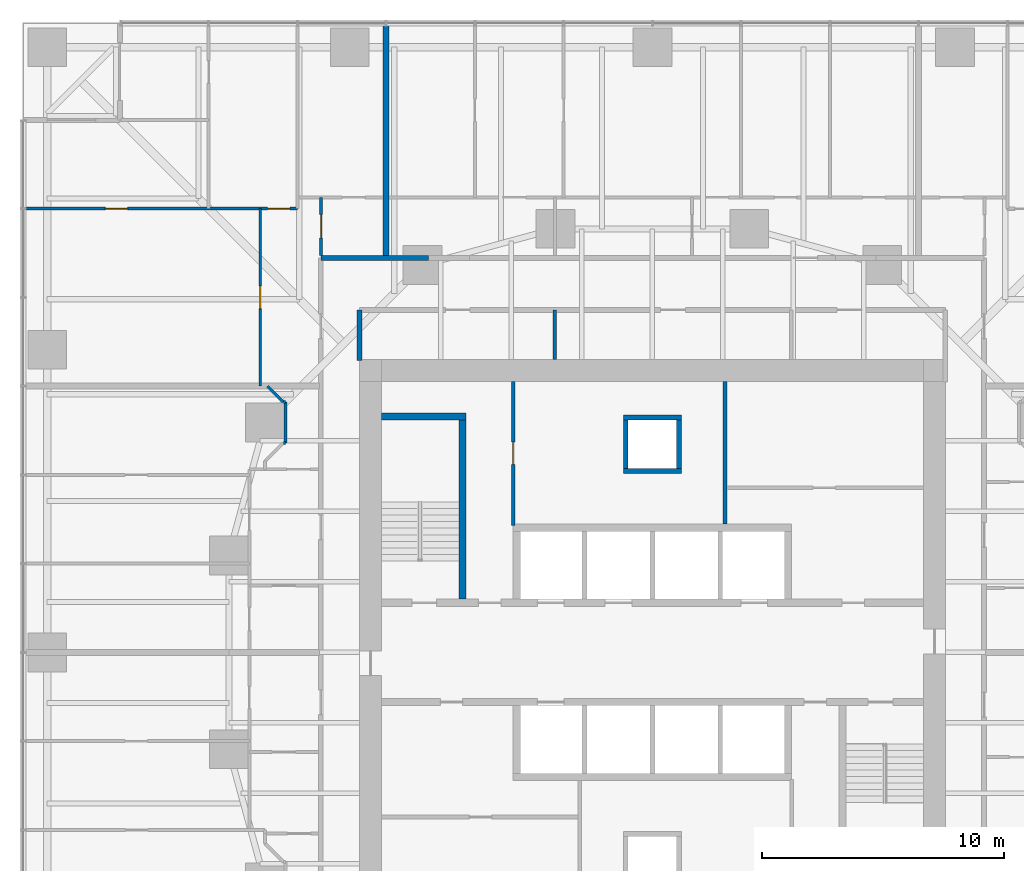
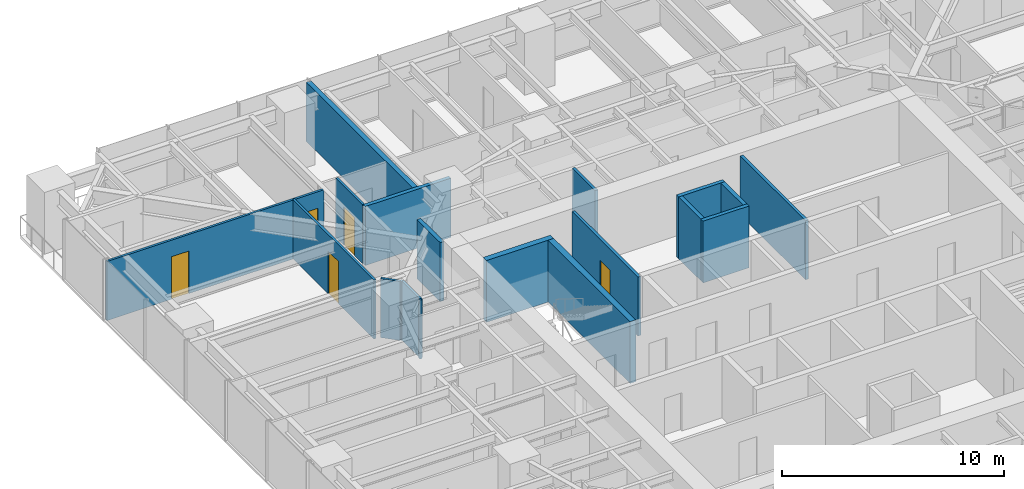
# One storey, part 14 of 18: 19 walls, 5 doors, 5 openings.
"""IFC4 building model written with IfcOpenShell, lengths in metres."""

from ifc_helpers import new_model, si_unit, direction, frame, frame_2d, origin, place, context, subcontext, project, spatial, rectangle, extrude, material, layer, layer_set, type_object, element, fill, save


model = new_model("IFC4")

# Units and contexts
model_context = context("Model", 3, precision=1e-05, world=origin(), true_north=direction((0.0, 1.0)))
body_context = subcontext(model_context, "Body", "Model", "MODEL_VIEW")
ifc_project = project(units=[si_unit("LENGTHUNIT", "METRE"), si_unit("AREAUNIT", "SQUARE_METRE"), si_unit("VOLUMEUNIT", "CUBIC_METRE"), si_unit("PLANEANGLEUNIT", "RADIAN"), si_unit("MASSUNIT", "GRAM", prefix="KILO")], contexts=[model_context])

# Site, building, storey
site_placement = place(None, origin())
site = spatial("IfcSite", under=ifc_project, at=site_placement, CompositionType="ELEMENT")
building_placement = place(site_placement, origin())
building = spatial("IfcBuilding", under=site, at=building_placement, Name="Torsade Residences", CompositionType="ELEMENT")
storey_placement = place(building_placement, frame((0.0, 0.0, 25.199951171875)))
storey = spatial("IfcBuildingStorey", under=building, at=storey_placement, Name="L06", CompositionType="ELEMENT", Elevation=25.199951171875)

# Walls
ifc_material_1 = material(Name="Concrete 80 MPa", Category="concrete")
ifc_layer_1 = layer(ifc_material_1, 0.300048828125)
ifc_layer_set_1 = layer_set([ifc_layer_1], Name="Concrete 80 MPa")
wall_type_1 = type_object("IfcWallType", Name="CORE INTERNAL WALL 300", PredefinedType="SHEAR", material=ifc_layer_set_1)
wall_1_placement = place(storey_placement, frame((32.14990234375, 32.199951171875, 0.0), z_axis=(0.0, 0.0, 1.0), x_axis=(0.0, 1.0, 0.0)))
element("IfcWall", 1, at=wall_1_placement, inside=storey, type_object=wall_type_1, Name="Core wall ST1E L06", PredefinedType="SHEAR", context=body_context, shape_type="SweptSolid", body=[
    extrude(rectangle(XDim=7.699951171875, YDim=0.300048828125, at=frame_2d((3.85009765625, 0.0))), origin(), (0.0, 0.0, 1.0), 3.400146484375),
])
wall_2_placement = place(storey_placement, frame((28.800048828125, 39.75, 0.0), z_axis=(0.0, 0.0, 1.0), x_axis=(1.0, 0.0, 0.0)))
element("IfcWall", 2, at=wall_2_placement, inside=storey, type_object=wall_type_1, Name="Core wall ST1N L06", PredefinedType="SHEAR", context=body_context, shape_type="SweptSolid", body=[
    extrude(rectangle(XDim=3.5, YDim=0.300048828125, at=frame_2d((1.75, 0.0))), origin(), (0.0, 0.0, 1.0), 3.400146484375),
])
ifc_material_2 = material(Name="Plasterboard on steel stud", Category="steel")
ifc_layer_2 = layer(ifc_material_2, 0.199951171875)
ifc_layer_set_2 = layer_set([ifc_layer_2], Name="Plasterboard on steel stud")
wall_type_2 = type_object("IfcWallType", Name="CORRIDOR WALL 200", PredefinedType="PARTITIONING", material=ifc_layer_set_2)
wall_3_placement = place(storey_placement, frame((30.75830078125, 46.300048828125, 0.0), z_axis=(0.0, 0.0, 1.0), x_axis=(-1.0, 0.0, 0.0)))
element("IfcWall", 3, at=wall_3_placement, inside=storey, type_object=wall_type_2, Name="Corridor wall L06", PredefinedType="PARTITIONING", context=body_context, shape_type="SweptSolid", body=[
    extrude(rectangle(XDim=4.458251953125, YDim=0.199951171875, at=frame_2d((2.22900390625, 0.0))), origin(), (0.0, 0.0, 1.0), 3.25),
])
wall_4_placement = place(storey_placement, frame((27.89990234375, 44.14990234375, 0.0), z_axis=(0.0, 0.0, 1.0), x_axis=(0.0, -1.0, 0.0)))
element("IfcWall", 4, at=wall_4_placement, inside=storey, type_object=wall_type_2, Name="Corridor wall L06", PredefinedType="PARTITIONING", context=body_context, shape_type="SweptSolid", body=[
    extrude(rectangle(XDim=2.099853515625, YDim=0.199951171875, at=frame_2d((1.0498046875, 0.0))), origin(), (0.0, 0.0, 1.0), 3.25),
])

# Wall, opening, door
ifc_material_3 = material(Name="Plasterboard on steel stud", Category="steel")
ifc_layer_3 = layer(ifc_material_3, 0.1201171875)
ifc_layer_set_3 = layer_set([ifc_layer_3], Name="Plasterboard on steel stud")
wall_type_3 = type_object("IfcWallType", Name="PARTITION 120", PredefinedType="PARTITIONING", material=ifc_layer_set_3)
wall_5_placement = place(storey_placement, frame((26.314697265625, 48.800048828125, 0.0), z_axis=(0.0, 0.0, 1.0), x_axis=(0.0, -1.0, 0.0)))
wall_5 = element("IfcWall", 5, at=wall_5_placement, inside=storey, type_object=wall_type_3, Name="Partition L06", PredefinedType="PARTITIONING", context=body_context, shape_type="SweptSolid", body=[
    extrude(rectangle(XDim=2.400146484375, YDim=0.1201171875, at=frame_2d((1.2001953125, 0.0))), origin(), (0.0, 0.0, 1.0), 3.25),
])
opening_1_placement = place(wall_5_placement, frame((0.719970703125, 0.0, 0.0)))
opening_1 = element("IfcOpeningElement", 6, at=opening_1_placement, cuts=wall_5, Name="Opening D05", PredefinedType="OPENING", context=body_context, shape_type="SweptSolid", body=[
    extrude(rectangle(XDim=0.9599609375, YDim=2.10009765625, at=frame_2d((0.47998046875, 1.050048828125))), frame((0.0, 0.070068359375, 0.0), z_axis=(0.0, -1.0, 0.0), x_axis=(1.0, 0.0, 0.0)), (0.0, 0.0, 1.0), 0.14013671875),
])
ifc_material_4 = material(Name="Hollow-core timber door in a steel cavity frame", Category="steel")
door_type_1 = type_object("IfcDoorType", Name="BATHROOM CAVITY SLIDING DOOR 960", OperationType="SLIDING_TO_LEFT", PredefinedType="DOOR", material=ifc_material_4)
door_1_placement = place(opening_1_placement, origin())
door_1 = element("IfcDoor", 7, at=door_1_placement, inside=storey, type_object=door_type_1, Name="Door Kitchen and dining to Bathroom", OperationType="SLIDING_TO_LEFT", OverallHeight=2.10009765625, OverallWidth=0.9599609375, PredefinedType="DOOR", context=body_context, shape_type="SweptSolid", body=[
    extrude(rectangle(XDim=0.9599609375, YDim=2.10009765625, at=frame_2d((0.47998046875, 1.050048828125))), frame((0.0, 0.02490234375, 0.0), z_axis=(0.0, -1.0, 0.0), x_axis=(1.0, 0.0, 0.0)), (0.0, 0.0, 1.0), 0.050048828125),
])
fill(opening_1, door_1)

wall_6_placement = place(storey_placement, frame((23.800048828125, 41.0, 0.0), z_axis=(0.0, 0.0, 1.0), x_axis=(0.0, 1.0, 0.0)))
wall_6 = element("IfcWall", 8, at=wall_6_placement, inside=storey, type_object=wall_type_3, Name="Partition L06", PredefinedType="PARTITIONING", context=body_context, shape_type="SweptSolid", body=[
    extrude(rectangle(XDim=7.333251953125, YDim=0.1201171875, at=frame_2d((3.66650390625, 0.0))), origin(), (0.0, 0.0, 1.0), 3.25),
])
opening_2_placement = place(wall_6_placement, frame((3.20654296875, 0.0, 0.0)))
opening_2 = element("IfcOpeningElement", 9, at=opening_2_placement, cuts=wall_6, Name="Opening D02", PredefinedType="OPENING", context=body_context, shape_type="SweptSolid", body=[
    extrude(rectangle(XDim=0.919921875, YDim=2.340087890625, at=frame_2d((0.4599609375, 1.169921875))), frame((0.0, 0.070068359375, 0.0), z_axis=(0.0, -1.0, 0.0), x_axis=(1.0, 0.0, 0.0)), (0.0, 0.0, 1.0), 0.14013671875),
])
ifc_material_5 = material(Name="Hollow-core timber door", Category="wood")
door_type_2 = type_object("IfcDoorType", Name="INTERNAL DOOR 920x2340", OperationType="NOTDEFINED", PredefinedType="DOOR", material=ifc_material_5)
door_2_placement = place(opening_2_placement, origin())
door_2 = element("IfcDoor", 10, at=door_2_placement, inside=storey, type_object=door_type_2, Name="Door Kitchen and dining to Living room", OperationType="SINGLE_SWING_LEFT", OverallHeight=2.340087890625, OverallWidth=0.919921875, PredefinedType="DOOR", context=body_context, shape_type="SweptSolid", body=[
    extrude(rectangle(XDim=0.919921875, YDim=2.340087890625, at=frame_2d((0.4599609375, 1.169921875))), frame((0.0, 0.02490234375, 0.0), z_axis=(0.0, -1.0, 0.0), x_axis=(1.0, 0.0, 0.0)), (0.0, 0.0, 1.0), 0.050048828125),
])
fill(opening_2, door_2)

# Wall, openings, doors
wall_7_placement = place(storey_placement, frame((14.0400390625, 48.333251953125, 0.0), z_axis=(0.0, 0.0, 1.0), x_axis=(1.0, 0.0, 0.0)))
wall_7 = element("IfcWall", 11, at=wall_7_placement, inside=storey, type_object=wall_type_3, Name="Partition L06", PredefinedType="PARTITIONING", context=body_context, shape_type="SweptSolid", body=[
    extrude(rectangle(XDim=11.293212890625, YDim=0.1201171875, at=frame_2d((5.646484375, 0.0))), origin(), (0.0, 0.0, 1.0), 3.25),
])
opening_3_placement = place(wall_7_placement, frame((10.066650390625, 0.0, 0.0)))
opening_3 = element("IfcOpeningElement", 12, at=opening_3_placement, cuts=wall_7, Name="Opening D02", PredefinedType="OPENING", context=body_context, shape_type="SweptSolid", body=[
    extrude(rectangle(XDim=0.919921875, YDim=2.340087890625, at=frame_2d((0.4599609375, 1.169921875))), frame((0.0, 0.070068359375, 0.0), z_axis=(0.0, -1.0, 0.0), x_axis=(1.0, 0.0, 0.0)), (0.0, 0.0, 1.0), 0.14013671875),
])
opening_4_placement = place(wall_7_placement, frame((3.3583984375, 0.0, 0.0)))
opening_4 = element("IfcOpeningElement", 13, at=opening_4_placement, cuts=wall_7, Name="Opening D02", PredefinedType="OPENING", context=body_context, shape_type="SweptSolid", body=[
    extrude(rectangle(XDim=0.919921875, YDim=2.340087890625, at=frame_2d((0.4599609375, 1.169921875))), frame((0.0, 0.070068359375, 0.0), z_axis=(0.0, -1.0, 0.0), x_axis=(1.0, 0.0, 0.0)), (0.0, 0.0, 1.0), 0.14013671875),
])
door_3_placement = place(opening_3_placement, origin())
door_3 = element("IfcDoor", 14, at=door_3_placement, inside=storey, type_object=door_type_2, Name="Door Kitchen and dining to Bedroom 2", OperationType="SINGLE_SWING_RIGHT", OverallHeight=2.340087890625, OverallWidth=0.919921875, PredefinedType="DOOR", context=body_context, shape_type="SweptSolid", body=[
    extrude(rectangle(XDim=0.919921875, YDim=2.340087890625, at=frame_2d((0.4599609375, 1.169921875))), frame((0.0, 0.02490234375, 0.0), z_axis=(0.0, -1.0, 0.0), x_axis=(1.0, 0.0, 0.0)), (0.0, 0.0, 1.0), 0.050048828125),
])
fill(opening_3, door_3)
door_4_placement = place(opening_4_placement, origin())
door_4 = element("IfcDoor", 15, at=door_4_placement, inside=storey, type_object=door_type_2, Name="Door Living room to Bedroom 1", OperationType="SINGLE_SWING_RIGHT", OverallHeight=2.340087890625, OverallWidth=0.919921875, PredefinedType="DOOR", context=body_context, shape_type="SweptSolid", body=[
    extrude(rectangle(XDim=0.919921875, YDim=2.340087890625, at=frame_2d((0.4599609375, 1.169921875))), frame((0.0, 0.02490234375, 0.0), z_axis=(0.0, -1.0, 0.0), x_axis=(1.0, 0.0, 0.0)), (0.0, 0.0, 1.0), 0.050048828125),
])
fill(opening_4, door_4)

# Walls
wall_8_placement = place(storey_placement, frame((24.85009765625, 38.64990234375, 0.0), z_axis=(0.0, 0.0, 1.0), x_axis=(0.0, 1.0, 0.0)))
element("IfcWall", 16, at=wall_8_placement, inside=storey, type_object=wall_type_3, Name="Partition L06", PredefinedType="PARTITIONING", context=body_context, shape_type="SweptSolid", body=[
    extrude(rectangle(XDim=1.7001953125, YDim=0.1201171875, at=frame_2d((0.85009765625, 0.0))), origin(), (0.0, 0.0, 1.0), 3.25),
])
wall_9_placement = place(storey_placement, frame((24.75, 40.35009765625, 0.0), z_axis=(0.0, 0.0, 1.0), x_axis=(-0.707106781187, 0.707106781187, 0.0)))
element("IfcWall", 17, at=wall_9_placement, inside=storey, type_object=wall_type_3, Name="Partition L06", PredefinedType="PARTITIONING", context=body_context, shape_type="SweptSolid", body=[
    extrude(rectangle(XDim=0.919189453125, YDim=0.1201171875, at=frame_2d((0.45947265625, 0.0))), origin(), (0.0, 0.0, 1.0), 3.25),
])
for number, where, z_axis, x_axis, name in (
    (18, (24.85009765625, 38.64990234375, 0.0), (0.0, 0.0, 1.0), (-1.0, 0.0, 0.0), "Partition L06"),
    (19, (24.85009765625, 40.35009765625, 0.0), (0.0, 0.0, 1.0), (-1.0, 0.0, 0.0), "Partition L06"),
):
    element("IfcWall", number, at=place(storey_placement, frame(where, z_axis=z_axis, x_axis=x_axis)), inside=storey, type_object=wall_type_3, Name=name, PredefinedType="PARTITIONING", context=body_context, shape_type="SweptSolid", body=[
        extrude(rectangle(XDim=0.10009765625, YDim=0.1201171875, at=frame_2d((0.050048828125, 0.0))), origin(), (0.0, 0.0, 1.0), 3.25),
    ])
ifc_material_6 = material(Name="Masonry-lined stud party wall", Category="masonry")
ifc_layer_4 = layer(ifc_material_6, 0.25)
ifc_layer_set_4 = layer_set([ifc_layer_4], Name="Masonry-lined stud party wall")
wall_type_4 = type_object("IfcWallType", Name="PARTY WALL 250", PredefinedType="PARTITIONING", material=ifc_layer_set_4)
wall_10_placement = place(storey_placement, frame((29.0, 56.0, 0.0), z_axis=(0.0, 0.0, 1.0), x_axis=(0.0, -1.0, 0.0)))
element("IfcWall", 20, at=wall_10_placement, inside=storey, type_object=wall_type_4, Name="Party wall L06", PredefinedType="PARTITIONING", context=body_context, shape_type="SweptSolid", body=[
    extrude(rectangle(XDim=9.639892578125, YDim=0.25, at=frame_2d((4.81982421875, 0.0))), origin(), (0.0, 0.0, 1.0), 3.25),
])
ifc_material_7 = material(Name="Reinforced blockwork", Category="masonry")
ifc_layer_5 = layer(ifc_material_7, 0.199951171875)
ifc_layer_set_5 = layer_set([ifc_layer_5], Name="Reinforced blockwork")
wall_type_5 = type_object("IfcWallType", Name="RISER SHAFT WALL 200", PredefinedType="SOLIDWALL", material=ifc_layer_set_5)
for number, where, z_axis, x_axis, name in (
    (21, (38.89990234375, 37.60009765625, 0.0), (0.0, 0.0, 1.0), (0.0, 1.0, 0.0), "Core wall RS1a L06"),
    (22, (41.10009765625, 37.60009765625, 0.0), (0.0, 0.0, 1.0), (0.0, 1.0, 0.0), "Core wall RS1b L06"),
):
    element("IfcWall", number, at=place(storey_placement, frame(where, z_axis=z_axis, x_axis=x_axis)), inside=storey, type_object=wall_type_5, Name=name, PredefinedType="SOLIDWALL", context=body_context, shape_type="SweptSolid", body=[
        extrude(rectangle(XDim=2.0, YDim=0.199951171875, at=frame_2d((1.0, 0.0))), origin(), (0.0, 0.0, 1.0), 3.400146484375),
    ])
for number, where, z_axis, x_axis, name in (
    (23, (38.800048828125, 37.5, 0.0), (0.0, 0.0, 1.0), (1.0, 0.0, 0.0), "Core wall RS1c L06"),
    (24, (38.800048828125, 39.699951171875, 0.0), (0.0, 0.0, 1.0), (1.0, 0.0, 0.0), "Core wall RS1d L06"),
):
    element("IfcWall", number, at=place(storey_placement, frame(where, z_axis=z_axis, x_axis=x_axis)), inside=storey, type_object=wall_type_5, Name=name, PredefinedType="SOLIDWALL", context=body_context, shape_type="SweptSolid", body=[
        extrude(rectangle(XDim=2.39990234375, YDim=0.199951171875, at=frame_2d((1.199951171875, 0.0))), origin(), (0.0, 0.0, 1.0), 3.400146484375),
    ])

# Wall, opening, door
ifc_material_8 = material(Name="Reinforced blockwork", Category="masonry")
ifc_layer_6 = layer(ifc_material_8, 0.14990234375)
ifc_layer_set_6 = layer_set([ifc_layer_6], Name="Reinforced blockwork")
wall_type_6 = type_object("IfcWallType", Name="SERVICE ROOM WALL 150", PredefinedType="SOLIDWALL", material=ifc_layer_set_6)
wall_11_placement = place(storey_placement, frame((34.25, 41.199951171875, 0.0), z_axis=(0.0, 0.0, 1.0), x_axis=(0.0, -1.0, 0.0)))
wall_11 = element("IfcWall", 25, at=wall_11_placement, inside=storey, type_object=wall_type_6, Name="Service room wall L06", PredefinedType="SOLIDWALL", context=body_context, shape_type="SweptSolid", body=[
    extrude(rectangle(XDim=5.949951171875, YDim=0.14990234375, at=frame_2d((2.97509765625, 0.0))), origin(), (0.0, 0.0, 1.0), 3.25),
])
opening_5_placement = place(wall_11_placement, frame((2.514892578125, 0.0, 0.0)))
opening_5 = element("IfcOpeningElement", 26, at=opening_5_placement, cuts=wall_11, Name="Opening D06", PredefinedType="OPENING", context=body_context, shape_type="SweptSolid", body=[
    extrude(rectangle(XDim=0.919921875, YDim=2.10009765625, at=frame_2d((0.4599609375, 1.050048828125))), frame((0.0, 0.0849609375, 0.0), z_axis=(0.0, -1.0, 0.0), x_axis=(1.0, 0.0, 0.0)), (0.0, 0.0, 1.0), 0.169921875),
])
ifc_material_9 = material(Name="Steel-framed fire door", Category="steel")
door_type_3 = type_object("IfcDoorType", Name="FIRE DOOR 920", OperationType="NOTDEFINED", PredefinedType="DOOR", material=ifc_material_9)
door_5_placement = place(opening_5_placement, origin())
door_5 = element("IfcDoor", 27, at=door_5_placement, inside=storey, type_object=door_type_3, Name="Door Main switchboard store to Electrical riser room", OperationType="SINGLE_SWING_RIGHT", OverallHeight=2.10009765625, OverallWidth=0.919921875, PredefinedType="DOOR", context=body_context, shape_type="SweptSolid", body=[
    extrude(rectangle(XDim=0.919921875, YDim=2.10009765625, at=frame_2d((0.4599609375, 1.050048828125))), frame((0.0, 0.02490234375, 0.0), z_axis=(0.0, -1.0, 0.0), x_axis=(1.0, 0.0, 0.0)), (0.0, 0.0, 1.0), 0.050048828125),
])
fill(opening_5, door_5)

# Walls
wall_12_placement = place(storey_placement, frame((43.0, 41.199951171875, 0.0), z_axis=(0.0, 0.0, 1.0), x_axis=(0.0, -1.0, 0.0)))
element("IfcWall", 28, at=wall_12_placement, inside=storey, type_object=wall_type_6, Name="Service room wall L06", PredefinedType="SOLIDWALL", context=body_context, shape_type="SweptSolid", body=[
    extrude(rectangle(XDim=5.89990234375, YDim=0.14990234375, at=frame_2d((2.949951171875, 0.0))), origin(), (0.0, 0.0, 1.0), 3.25),
])
wall_13_placement = place(storey_placement, frame((35.95849609375, 42.10009765625, 0.0), z_axis=(0.0, 0.0, 1.0), x_axis=(0.0, 1.0, 0.0)))
element("IfcWall", 29, at=wall_13_placement, inside=storey, type_object=wall_type_6, Name="Service room wall L06", PredefinedType="SOLIDWALL", context=body_context, shape_type="SweptSolid", body=[
    extrude(rectangle(XDim=2.0498046875, YDim=0.14990234375, at=frame_2d((1.02490234375, 0.0))), origin(), (0.0, 0.0, 1.0), 3.25),
])

save(model, "model.ifc")
